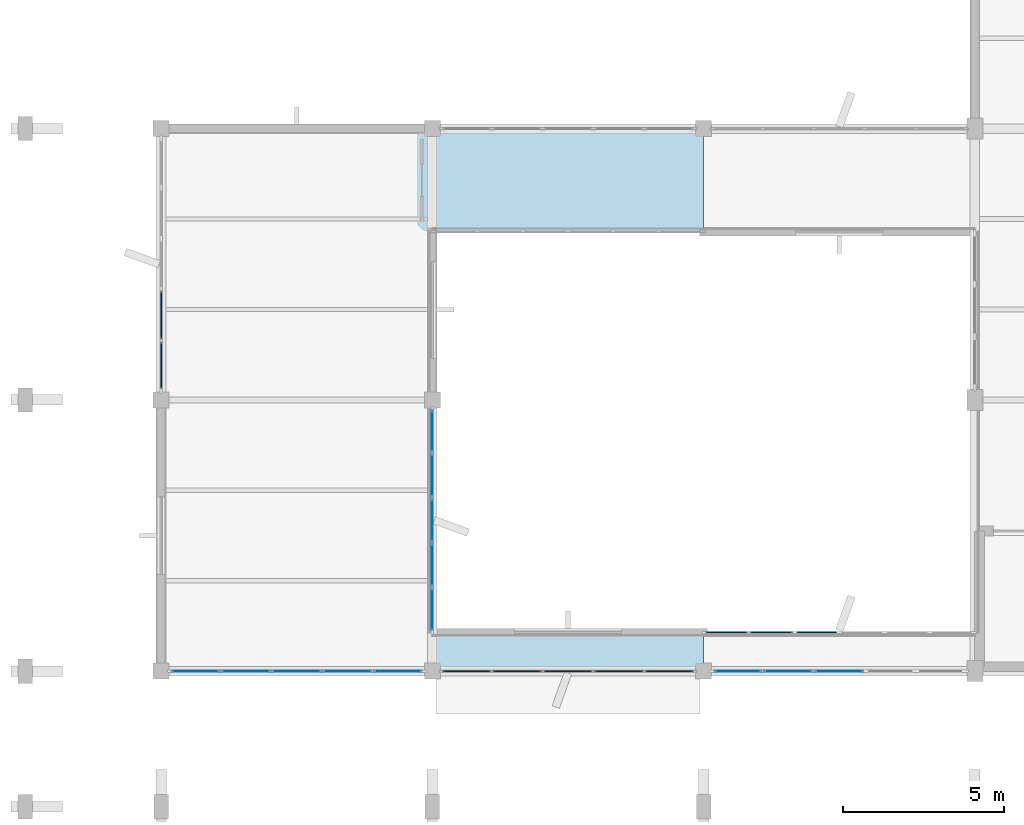
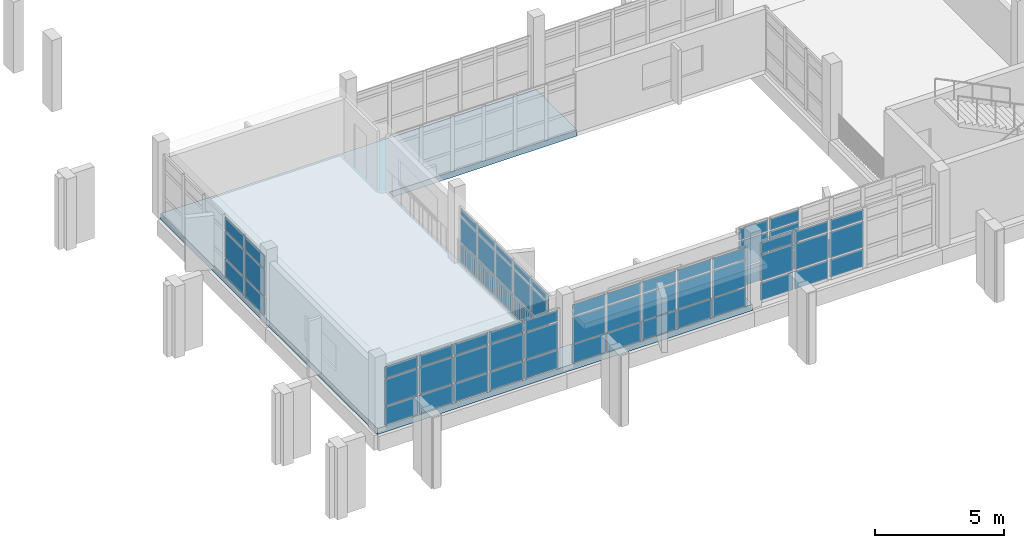
# One storey, part 49 of 104: 67 plates, 1 slab, 6 elements without a shape of their own.
"""IFC4 building model written with IfcOpenShell, lengths in metres."""

from ifc_helpers import new_model, si_unit, direction, frame, origin, origin_2d, place, context, subcontext, project, spatial, polyline, rectangle, outline, extrude, material, layer, layer_set, type_object, element, aggregate, save


model = new_model("IFC4")

# Units and contexts
model_context = context("Model", 3, precision=1e-05, world=origin(), true_north=direction((0.0, 1.0)))
body_context = subcontext(model_context, "Body", "Model", "MODEL_VIEW")
ifc_project = project(units=[si_unit("LENGTHUNIT", "METRE"), si_unit("AREAUNIT", "SQUARE_METRE"), si_unit("VOLUMEUNIT", "CUBIC_METRE"), si_unit("PLANEANGLEUNIT", "RADIAN"), si_unit("MASSUNIT", "GRAM", prefix="KILO")], contexts=[model_context])

# Site, building, storey
site_placement = place(None, origin())
site = spatial("IfcSite", under=ifc_project, at=site_placement, CompositionType="ELEMENT")
building_placement = place(site_placement, origin())
building = spatial("IfcBuilding", under=site, at=building_placement, Name="Vanh Quang Courtyard School", CompositionType="ELEMENT")
storey_placement = place(building_placement, frame((0.0, 0.0, 4.199951171875)))
storey = spatial("IfcBuildingStorey", under=building, at=storey_placement, Name="L01", CompositionType="ELEMENT", Elevation=4.199951171875)

# Curtain wall, plates
ifc_material_1 = material(Name="Thermally broken aluminium unitised curtain wall", Category="aluminium")
curtain_wall_type_1 = type_object("IfcCurtainWallType", Name="CW-SYS-29", PredefinedType="NOTDEFINED", material=ifc_material_1)
curtain_wall_1_placement = place(storey_placement, origin())
curtain_wall_1 = element("IfcCurtainWall", 1, at=curtain_wall_1_placement, inside=storey, type_object=curtain_wall_type_1, Name="Curtain Wall CW-29 (L01)", PredefinedType="NOTDEFINED")
ifc_material_2 = material(Name="Low-E laminated double glazing", Category="glass")
ifc_layer_1 = layer(ifc_material_2, 0.028076171875)
ifc_layer_set_1 = layer_set([ifc_layer_1], Name="Low-E laminated double glazing")
plate_type_1 = type_object("IfcPlateType", Name="CW-PNL-28", PredefinedType="CURTAIN_PANEL", material=ifc_layer_set_1)
plate_1_placement = place(storey_placement, frame((25.199951171875, 4.199951171875, 0.080078125), z_axis=(0.0, 0.0, 1.0), x_axis=(-1.0, 0.0, 0.0)))
plate_1 = element("IfcPlate", 2, at=plate_1_placement, type_object=plate_type_1, Name="CW-29 panel 3.1", PredefinedType="CURTAIN_PANEL", context=body_context, shape_type="SweptSolid", body=[
    extrude(rectangle(XDim=1.496826171875, YDim=0.028076171875, at=origin_2d()), origin(), (0.0, 0.0, 1.0), 0.830078125),
])
plate_2_placement = place(storey_placement, frame((25.199951171875, 4.199951171875, 0.990234375), z_axis=(0.0, 0.0, 1.0), x_axis=(-1.0, 0.0, 0.0)))
plate_2 = element("IfcPlate", 3, at=plate_2_placement, type_object=plate_type_1, Name="CW-29 panel 3.2", PredefinedType="CURTAIN_PANEL", context=body_context, shape_type="SweptSolid", body=[
    extrude(rectangle(XDim=1.496826171875, YDim=0.028076171875, at=origin_2d()), origin(), (0.0, 0.0, 1.0), 1.219970703125),
])
plate_3_placement = place(storey_placement, frame((25.199951171875, 4.199951171875, 2.2900390625), z_axis=(0.0, 0.0, 1.0), x_axis=(-1.0, 0.0, 0.0)))
plate_3 = element("IfcPlate", 4, at=plate_3_placement, type_object=plate_type_1, Name="CW-29 panel 3.3", PredefinedType="CURTAIN_PANEL", context=body_context, shape_type="SweptSolid", body=[
    extrude(rectangle(XDim=1.496826171875, YDim=0.028076171875, at=origin_2d()), origin(), (0.0, 0.0, 1.0), 0.5),
])
plate_4_placement = place(storey_placement, frame((23.623291015625, 4.199951171875, 0.080078125), z_axis=(0.0, 0.0, 1.0), x_axis=(-1.0, 0.0, 0.0)))
plate_4 = element("IfcPlate", 5, at=plate_4_placement, type_object=plate_type_1, Name="CW-29 panel 4.1", PredefinedType="CURTAIN_PANEL", context=body_context, shape_type="SweptSolid", body=[
    extrude(rectangle(XDim=1.496826171875, YDim=0.028076171875, at=origin_2d()), origin(), (0.0, 0.0, 1.0), 0.830078125),
])
plate_5_placement = place(storey_placement, frame((23.623291015625, 4.199951171875, 0.990234375), z_axis=(0.0, 0.0, 1.0), x_axis=(-1.0, 0.0, 0.0)))
plate_5 = element("IfcPlate", 6, at=plate_5_placement, type_object=plate_type_1, Name="CW-29 panel 4.2", PredefinedType="CURTAIN_PANEL", context=body_context, shape_type="SweptSolid", body=[
    extrude(rectangle(XDim=1.496826171875, YDim=0.028076171875, at=origin_2d()), origin(), (0.0, 0.0, 1.0), 1.219970703125),
])
plate_6_placement = place(storey_placement, frame((23.623291015625, 4.199951171875, 2.2900390625), z_axis=(0.0, 0.0, 1.0), x_axis=(-1.0, 0.0, 0.0)))
plate_6 = element("IfcPlate", 7, at=plate_6_placement, type_object=plate_type_1, Name="CW-29 panel 4.3", PredefinedType="CURTAIN_PANEL", context=body_context, shape_type="SweptSolid", body=[
    extrude(rectangle(XDim=1.496826171875, YDim=0.028076171875, at=origin_2d()), origin(), (0.0, 0.0, 1.0), 0.5),
])
plate_7_placement = place(storey_placement, frame((22.06640625, 4.199951171875, 0.080078125), z_axis=(0.0, 0.0, 1.0), x_axis=(-1.0, 0.0, 0.0)))
plate_7 = element("IfcPlate", 8, at=plate_7_placement, type_object=plate_type_1, Name="CW-29 panel 5.1", PredefinedType="CURTAIN_PANEL", context=body_context, shape_type="SweptSolid", body=[
    extrude(rectangle(XDim=1.456787109375, YDim=0.028076171875, at=origin_2d()), origin(), (0.0, 0.0, 1.0), 0.830078125),
])
plate_8_placement = place(storey_placement, frame((22.06640625, 4.199951171875, 0.990234375), z_axis=(0.0, 0.0, 1.0), x_axis=(-1.0, 0.0, 0.0)))
plate_8 = element("IfcPlate", 9, at=plate_8_placement, type_object=plate_type_1, Name="CW-29 panel 5.2", PredefinedType="CURTAIN_PANEL", context=body_context, shape_type="SweptSolid", body=[
    extrude(rectangle(XDim=1.456787109375, YDim=0.028076171875, at=origin_2d()), origin(), (0.0, 0.0, 1.0), 1.219970703125),
])
plate_9_placement = place(storey_placement, frame((22.06640625, 4.199951171875, 2.2900390625), z_axis=(0.0, 0.0, 1.0), x_axis=(-1.0, 0.0, 0.0)))
plate_9 = element("IfcPlate", 10, at=plate_9_placement, type_object=plate_type_1, Name="CW-29 panel 5.3", PredefinedType="CURTAIN_PANEL", context=body_context, shape_type="SweptSolid", body=[
    extrude(rectangle(XDim=1.456787109375, YDim=0.028076171875, at=origin_2d()), origin(), (0.0, 0.0, 1.0), 0.5),
])
aggregate(curtain_wall_1, [plate_1, plate_2, plate_3, plate_4, plate_5, plate_6, plate_7, plate_8, plate_9])

curtain_wall_2_placement = place(storey_placement, origin())
curtain_wall_2 = element("IfcCurtainWall", 11, at=curtain_wall_2_placement, inside=storey, type_object=curtain_wall_type_1, Name="Curtain Wall CW-29 (L01)", PredefinedType="NOTDEFINED")
plate_10_placement = place(storey_placement, frame((11.5361328125, 4.199951171875, 0.06982421875), z_axis=(0.0, 0.0, 1.0), x_axis=(-1.0, 0.0, 0.0)))
plate_10 = element("IfcPlate", 12, at=plate_10_placement, type_object=plate_type_1, Name="CW-29 panel 1.1", PredefinedType="CURTAIN_PANEL", context=body_context, shape_type="SweptSolid", body=[
    extrude(rectangle(XDim=1.4716796875, YDim=0.028076171875, at=origin_2d()), origin(), (0.0, 0.0, 1.0), 0.844970703125),
])
plate_11_placement = place(storey_placement, frame((11.5361328125, 4.199951171875, 0.985107421875), z_axis=(0.0, 0.0, 1.0), x_axis=(-1.0, 0.0, 0.0)))
plate_11 = element("IfcPlate", 13, at=plate_11_placement, type_object=plate_type_1, Name="CW-29 panel 1.2", PredefinedType="CURTAIN_PANEL", context=body_context, shape_type="SweptSolid", body=[
    extrude(rectangle(XDim=1.4716796875, YDim=0.028076171875, at=origin_2d()), origin(), (0.0, 0.0, 1.0), 1.22998046875),
])
plate_12_placement = place(storey_placement, frame((11.5361328125, 4.199951171875, 2.28515625), z_axis=(0.0, 0.0, 1.0), x_axis=(-1.0, 0.0, 0.0)))
plate_12 = element("IfcPlate", 14, at=plate_12_placement, type_object=plate_type_1, Name="CW-29 panel 1.3", PredefinedType="CURTAIN_PANEL", context=body_context, shape_type="SweptSolid", body=[
    extrude(rectangle(XDim=1.4716796875, YDim=0.028076171875, at=origin_2d()), origin(), (0.0, 0.0, 1.0), 0.514892578125),
])
plate_13_placement = place(storey_placement, frame((9.976806640625, 4.199951171875, 0.06982421875), z_axis=(0.0, 0.0, 1.0), x_axis=(-1.0, 0.0, 0.0)))
plate_13 = element("IfcPlate", 15, at=plate_13_placement, type_object=plate_type_1, Name="CW-29 panel 2.1", PredefinedType="CURTAIN_PANEL", context=body_context, shape_type="SweptSolid", body=[
    extrude(rectangle(XDim=1.5068359375, YDim=0.028076171875, at=origin_2d()), origin(), (0.0, 0.0, 1.0), 0.844970703125),
])
plate_14_placement = place(storey_placement, frame((9.976806640625, 4.199951171875, 0.985107421875), z_axis=(0.0, 0.0, 1.0), x_axis=(-1.0, 0.0, 0.0)))
plate_14 = element("IfcPlate", 16, at=plate_14_placement, type_object=plate_type_1, Name="CW-29 panel 2.2", PredefinedType="CURTAIN_PANEL", context=body_context, shape_type="SweptSolid", body=[
    extrude(rectangle(XDim=1.5068359375, YDim=0.028076171875, at=origin_2d()), origin(), (0.0, 0.0, 1.0), 1.22998046875),
])
plate_15_placement = place(storey_placement, frame((9.976806640625, 4.199951171875, 2.28515625), z_axis=(0.0, 0.0, 1.0), x_axis=(-1.0, 0.0, 0.0)))
plate_15 = element("IfcPlate", 17, at=plate_15_placement, type_object=plate_type_1, Name="CW-29 panel 2.3", PredefinedType="CURTAIN_PANEL", context=body_context, shape_type="SweptSolid", body=[
    extrude(rectangle(XDim=1.5068359375, YDim=0.028076171875, at=origin_2d()), origin(), (0.0, 0.0, 1.0), 0.514892578125),
])
plate_16_placement = place(storey_placement, frame((8.39990234375, 4.199951171875, 0.06982421875), z_axis=(0.0, 0.0, 1.0), x_axis=(-1.0, 0.0, 0.0)))
plate_16 = element("IfcPlate", 18, at=plate_16_placement, type_object=plate_type_1, Name="CW-29 panel 3.1", PredefinedType="CURTAIN_PANEL", context=body_context, shape_type="SweptSolid", body=[
    extrude(rectangle(XDim=1.5068359375, YDim=0.028076171875, at=origin_2d()), origin(), (0.0, 0.0, 1.0), 0.844970703125),
])
plate_17_placement = place(storey_placement, frame((8.39990234375, 4.199951171875, 0.985107421875), z_axis=(0.0, 0.0, 1.0), x_axis=(-1.0, 0.0, 0.0)))
plate_17 = element("IfcPlate", 19, at=plate_17_placement, type_object=plate_type_1, Name="CW-29 panel 3.2", PredefinedType="CURTAIN_PANEL", context=body_context, shape_type="SweptSolid", body=[
    extrude(rectangle(XDim=1.5068359375, YDim=0.028076171875, at=origin_2d()), origin(), (0.0, 0.0, 1.0), 1.22998046875),
])
plate_18_placement = place(storey_placement, frame((8.39990234375, 4.199951171875, 2.28515625), z_axis=(0.0, 0.0, 1.0), x_axis=(-1.0, 0.0, 0.0)))
plate_18 = element("IfcPlate", 20, at=plate_18_placement, type_object=plate_type_1, Name="CW-29 panel 3.3", PredefinedType="CURTAIN_PANEL", context=body_context, shape_type="SweptSolid", body=[
    extrude(rectangle(XDim=1.5068359375, YDim=0.028076171875, at=origin_2d()), origin(), (0.0, 0.0, 1.0), 0.514892578125),
])
plate_19_placement = place(storey_placement, frame((6.8232421875, 4.199951171875, 0.06982421875), z_axis=(0.0, 0.0, 1.0), x_axis=(-1.0, 0.0, 0.0)))
plate_19 = element("IfcPlate", 21, at=plate_19_placement, type_object=plate_type_1, Name="CW-29 panel 4.1", PredefinedType="CURTAIN_PANEL", context=body_context, shape_type="SweptSolid", body=[
    extrude(rectangle(XDim=1.5068359375, YDim=0.028076171875, at=origin_2d()), origin(), (0.0, 0.0, 1.0), 0.844970703125),
])
plate_20_placement = place(storey_placement, frame((6.8232421875, 4.199951171875, 0.985107421875), z_axis=(0.0, 0.0, 1.0), x_axis=(-1.0, 0.0, 0.0)))
plate_20 = element("IfcPlate", 22, at=plate_20_placement, type_object=plate_type_1, Name="CW-29 panel 4.2", PredefinedType="CURTAIN_PANEL", context=body_context, shape_type="SweptSolid", body=[
    extrude(rectangle(XDim=1.5068359375, YDim=0.028076171875, at=origin_2d()), origin(), (0.0, 0.0, 1.0), 1.22998046875),
])
plate_21_placement = place(storey_placement, frame((6.8232421875, 4.199951171875, 2.28515625), z_axis=(0.0, 0.0, 1.0), x_axis=(-1.0, 0.0, 0.0)))
plate_21 = element("IfcPlate", 23, at=plate_21_placement, type_object=plate_type_1, Name="CW-29 panel 4.3", PredefinedType="CURTAIN_PANEL", context=body_context, shape_type="SweptSolid", body=[
    extrude(rectangle(XDim=1.5068359375, YDim=0.028076171875, at=origin_2d()), origin(), (0.0, 0.0, 1.0), 0.514892578125),
])
plate_22_placement = place(storey_placement, frame((5.263916015625, 4.199951171875, 0.06982421875), z_axis=(0.0, 0.0, 1.0), x_axis=(-1.0, 0.0, 0.0)))
plate_22 = element("IfcPlate", 24, at=plate_22_placement, type_object=plate_type_1, Name="CW-29 panel 5.1", PredefinedType="CURTAIN_PANEL", context=body_context, shape_type="SweptSolid", body=[
    extrude(rectangle(XDim=1.4716796875, YDim=0.028076171875, at=origin_2d()), origin(), (0.0, 0.0, 1.0), 0.844970703125),
])
plate_23_placement = place(storey_placement, frame((5.263916015625, 4.199951171875, 0.985107421875), z_axis=(0.0, 0.0, 1.0), x_axis=(-1.0, 0.0, 0.0)))
plate_23 = element("IfcPlate", 25, at=plate_23_placement, type_object=plate_type_1, Name="CW-29 panel 5.2", PredefinedType="CURTAIN_PANEL", context=body_context, shape_type="SweptSolid", body=[
    extrude(rectangle(XDim=1.4716796875, YDim=0.028076171875, at=origin_2d()), origin(), (0.0, 0.0, 1.0), 1.22998046875),
])
plate_24_placement = place(storey_placement, frame((5.263916015625, 4.199951171875, 2.28515625), z_axis=(0.0, 0.0, 1.0), x_axis=(-1.0, 0.0, 0.0)))
plate_24 = element("IfcPlate", 26, at=plate_24_placement, type_object=plate_type_1, Name="CW-29 panel 5.3", PredefinedType="CURTAIN_PANEL", context=body_context, shape_type="SweptSolid", body=[
    extrude(rectangle(XDim=1.4716796875, YDim=0.028076171875, at=origin_2d()), origin(), (0.0, 0.0, 1.0), 0.514892578125),
])
aggregate(curtain_wall_2, [plate_10, plate_11, plate_12, plate_13, plate_14, plate_15, plate_16, plate_17, plate_18, plate_19, plate_20, plate_21, plate_22, plate_23, plate_24])

curtain_wall_type_2 = type_object("IfcCurtainWallType", Name="CW-SYS-34", PredefinedType="NOTDEFINED", material=ifc_material_1)
curtain_wall_3_placement = place(storey_placement, origin())
curtain_wall_3 = element("IfcCurtainWall", 27, at=curtain_wall_3_placement, inside=storey, type_object=curtain_wall_type_2, Name="Curtain Wall CW-34 (L01)", PredefinedType="NOTDEFINED")
plate_25_placement = place(storey_placement, frame((12.60009765625, 11.63037109375, 0.06982421875), z_axis=(0.0, 0.0, 1.0), x_axis=(0.0, -1.0, 0.0)))
plate_25 = element("IfcPlate", 28, at=plate_25_placement, type_object=plate_type_1, Name="CW-34 panel 1.1", PredefinedType="CURTAIN_PANEL", context=body_context, shape_type="SweptSolid", body=[
    extrude(rectangle(XDim=1.283447265625, YDim=0.028076171875, at=origin_2d()), origin(), (0.0, 0.0, 1.0), 0.844970703125),
])
plate_26_placement = place(storey_placement, frame((12.60009765625, 11.63037109375, 0.985107421875), z_axis=(0.0, 0.0, 1.0), x_axis=(0.0, -1.0, 0.0)))
plate_26 = element("IfcPlate", 29, at=plate_26_placement, type_object=plate_type_1, Name="CW-34 panel 1.2", PredefinedType="CURTAIN_PANEL", context=body_context, shape_type="SweptSolid", body=[
    extrude(rectangle(XDim=1.283447265625, YDim=0.028076171875, at=origin_2d()), origin(), (0.0, 0.0, 1.0), 1.22998046875),
])
plate_27_placement = place(storey_placement, frame((12.60009765625, 11.63037109375, 2.28515625), z_axis=(0.0, 0.0, 1.0), x_axis=(0.0, -1.0, 0.0)))
plate_27 = element("IfcPlate", 30, at=plate_27_placement, type_object=plate_type_1, Name="CW-34 panel 1.3", PredefinedType="CURTAIN_PANEL", context=body_context, shape_type="SweptSolid", body=[
    extrude(rectangle(XDim=1.283447265625, YDim=0.028076171875, at=origin_2d()), origin(), (0.0, 0.0, 1.0), 0.31494140625),
])
plate_28_placement = place(storey_placement, frame((12.60009765625, 10.259521484375, 0.06982421875), z_axis=(0.0, 0.0, 1.0), x_axis=(0.0, -1.0, 0.0)))
plate_28 = element("IfcPlate", 31, at=plate_28_placement, type_object=plate_type_1, Name="CW-34 panel 2.1", PredefinedType="CURTAIN_PANEL", context=body_context, shape_type="SweptSolid", body=[
    extrude(rectangle(XDim=1.318359375, YDim=0.028076171875, at=origin_2d()), origin(), (0.0, 0.0, 1.0), 0.844970703125),
])
plate_29_placement = place(storey_placement, frame((12.60009765625, 10.259521484375, 0.985107421875), z_axis=(0.0, 0.0, 1.0), x_axis=(0.0, -1.0, 0.0)))
plate_29 = element("IfcPlate", 32, at=plate_29_placement, type_object=plate_type_1, Name="CW-34 panel 2.2", PredefinedType="CURTAIN_PANEL", context=body_context, shape_type="SweptSolid", body=[
    extrude(rectangle(XDim=1.318359375, YDim=0.028076171875, at=origin_2d()), origin(), (0.0, 0.0, 1.0), 1.22998046875),
])
plate_30_placement = place(storey_placement, frame((12.60009765625, 10.259521484375, 2.28515625), z_axis=(0.0, 0.0, 1.0), x_axis=(0.0, -1.0, 0.0)))
plate_30 = element("IfcPlate", 33, at=plate_30_placement, type_object=plate_type_1, Name="CW-34 panel 2.3", PredefinedType="CURTAIN_PANEL", context=body_context, shape_type="SweptSolid", body=[
    extrude(rectangle(XDim=1.318359375, YDim=0.028076171875, at=origin_2d()), origin(), (0.0, 0.0, 1.0), 0.31494140625),
])
plate_31_placement = place(storey_placement, frame((12.60009765625, 8.87109375, 0.06982421875), z_axis=(0.0, 0.0, 1.0), x_axis=(0.0, -1.0, 0.0)))
plate_31 = element("IfcPlate", 34, at=plate_31_placement, type_object=plate_type_1, Name="CW-34 panel 3.1", PredefinedType="CURTAIN_PANEL", context=body_context, shape_type="SweptSolid", body=[
    extrude(rectangle(XDim=1.318359375, YDim=0.028076171875, at=origin_2d()), origin(), (0.0, 0.0, 1.0), 0.844970703125),
])
plate_32_placement = place(storey_placement, frame((12.60009765625, 8.87109375, 0.985107421875), z_axis=(0.0, 0.0, 1.0), x_axis=(0.0, -1.0, 0.0)))
plate_32 = element("IfcPlate", 35, at=plate_32_placement, type_object=plate_type_1, Name="CW-34 panel 3.2", PredefinedType="CURTAIN_PANEL", context=body_context, shape_type="SweptSolid", body=[
    extrude(rectangle(XDim=1.318359375, YDim=0.028076171875, at=origin_2d()), origin(), (0.0, 0.0, 1.0), 1.22998046875),
])
plate_33_placement = place(storey_placement, frame((12.60009765625, 8.87109375, 2.28515625), z_axis=(0.0, 0.0, 1.0), x_axis=(0.0, -1.0, 0.0)))
plate_33 = element("IfcPlate", 36, at=plate_33_placement, type_object=plate_type_1, Name="CW-34 panel 3.3", PredefinedType="CURTAIN_PANEL", context=body_context, shape_type="SweptSolid", body=[
    extrude(rectangle(XDim=1.318359375, YDim=0.028076171875, at=origin_2d()), origin(), (0.0, 0.0, 1.0), 0.31494140625),
])
plate_34_placement = place(storey_placement, frame((12.60009765625, 7.482666015625, 0.06982421875), z_axis=(0.0, 0.0, 1.0), x_axis=(0.0, -1.0, 0.0)))
plate_34 = element("IfcPlate", 37, at=plate_34_placement, type_object=plate_type_1, Name="CW-34 panel 4.1", PredefinedType="CURTAIN_PANEL", context=body_context, shape_type="SweptSolid", body=[
    extrude(rectangle(XDim=1.318359375, YDim=0.028076171875, at=origin_2d()), origin(), (0.0, 0.0, 1.0), 0.844970703125),
])
plate_35_placement = place(storey_placement, frame((12.60009765625, 7.482666015625, 0.985107421875), z_axis=(0.0, 0.0, 1.0), x_axis=(0.0, -1.0, 0.0)))
plate_35 = element("IfcPlate", 38, at=plate_35_placement, type_object=plate_type_1, Name="CW-34 panel 4.2", PredefinedType="CURTAIN_PANEL", context=body_context, shape_type="SweptSolid", body=[
    extrude(rectangle(XDim=1.318359375, YDim=0.028076171875, at=origin_2d()), origin(), (0.0, 0.0, 1.0), 1.22998046875),
])
plate_36_placement = place(storey_placement, frame((12.60009765625, 7.482666015625, 2.28515625), z_axis=(0.0, 0.0, 1.0), x_axis=(0.0, -1.0, 0.0)))
plate_36 = element("IfcPlate", 39, at=plate_36_placement, type_object=plate_type_1, Name="CW-34 panel 4.3", PredefinedType="CURTAIN_PANEL", context=body_context, shape_type="SweptSolid", body=[
    extrude(rectangle(XDim=1.318359375, YDim=0.028076171875, at=origin_2d()), origin(), (0.0, 0.0, 1.0), 0.31494140625),
])
plate_37_placement = place(storey_placement, frame((12.60009765625, 6.11181640625, 0.06982421875), z_axis=(0.0, 0.0, 1.0), x_axis=(0.0, -1.0, 0.0)))
plate_37 = element("IfcPlate", 40, at=plate_37_placement, type_object=plate_type_1, Name="CW-34 panel 5.1", PredefinedType="CURTAIN_PANEL", context=body_context, shape_type="SweptSolid", body=[
    extrude(rectangle(XDim=1.283447265625, YDim=0.028076171875, at=origin_2d()), origin(), (0.0, 0.0, 1.0), 0.844970703125),
])
plate_38_placement = place(storey_placement, frame((12.60009765625, 6.11181640625, 0.985107421875), z_axis=(0.0, 0.0, 1.0), x_axis=(0.0, -1.0, 0.0)))
plate_38 = element("IfcPlate", 41, at=plate_38_placement, type_object=plate_type_1, Name="CW-34 panel 5.2", PredefinedType="CURTAIN_PANEL", context=body_context, shape_type="SweptSolid", body=[
    extrude(rectangle(XDim=1.283447265625, YDim=0.028076171875, at=origin_2d()), origin(), (0.0, 0.0, 1.0), 1.22998046875),
])
plate_39_placement = place(storey_placement, frame((12.60009765625, 6.11181640625, 2.28515625), z_axis=(0.0, 0.0, 1.0), x_axis=(0.0, -1.0, 0.0)))
plate_39 = element("IfcPlate", 42, at=plate_39_placement, type_object=plate_type_1, Name="CW-34 panel 5.3", PredefinedType="CURTAIN_PANEL", context=body_context, shape_type="SweptSolid", body=[
    extrude(rectangle(XDim=1.283447265625, YDim=0.028076171875, at=origin_2d()), origin(), (0.0, 0.0, 1.0), 0.31494140625),
])
aggregate(curtain_wall_3, [plate_25, plate_26, plate_27, plate_28, plate_29, plate_30, plate_31, plate_32, plate_33, plate_34, plate_35, plate_36, plate_37, plate_38, plate_39])

curtain_wall_4_placement = place(storey_placement, origin())
curtain_wall_4 = element("IfcCurtainWall", 43, at=curtain_wall_4_placement, inside=storey, type_object=curtain_wall_type_1, Name="Curtain Wall CW-29 (L01)", PredefinedType="NOTDEFINED")
ifc_layer_2 = layer(ifc_material_2, 0.031982421875)
ifc_layer_set_2 = layer_set([ifc_layer_2], Name="Low-E laminated double glazing")
plate_type_2 = type_object("IfcPlateType", Name="CW-PNL-32", PredefinedType="CURTAIN_PANEL", material=ifc_layer_set_2)
plate_40_placement = place(storey_placement, frame((19.938720703125, 4.199951171875, 0.06005859375), z_axis=(0.0, 0.0, 1.0), x_axis=(-1.0, 0.0, 0.0)))
plate_40 = element("IfcPlate", 44, at=plate_40_placement, type_object=plate_type_2, Name="CW-29 panel 1.1", PredefinedType="CURTAIN_PANEL", context=body_context, shape_type="SweptSolid", body=[
    extrude(rectangle(XDim=1.48681640625, YDim=0.031982421875, at=origin_2d()), origin(), (0.0, 0.0, 1.0), 0.860107421875),
])
plate_41_placement = place(storey_placement, frame((19.938720703125, 4.199951171875, 0.97998046875), z_axis=(0.0, 0.0, 1.0), x_axis=(-1.0, 0.0, 0.0)))
plate_41 = element("IfcPlate", 45, at=plate_41_placement, type_object=plate_type_2, Name="CW-29 panel 1.2", PredefinedType="CURTAIN_PANEL", context=body_context, shape_type="SweptSolid", body=[
    extrude(rectangle(XDim=1.48681640625, YDim=0.031982421875, at=origin_2d()), origin(), (0.0, 0.0, 1.0), 1.239990234375),
])
plate_42_placement = place(storey_placement, frame((19.938720703125, 4.199951171875, 2.2802734375), z_axis=(0.0, 0.0, 1.0), x_axis=(-1.0, 0.0, 0.0)))
plate_42 = element("IfcPlate", 46, at=plate_42_placement, type_object=plate_type_2, Name="CW-29 panel 1.3", PredefinedType="CURTAIN_PANEL", context=body_context, shape_type="SweptSolid", body=[
    extrude(rectangle(XDim=1.48681640625, YDim=0.031982421875, at=origin_2d()), origin(), (0.0, 0.0, 1.0), 0.530029296875),
])
plate_43_placement = place(storey_placement, frame((18.376708984375, 4.199951171875, 0.06005859375), z_axis=(0.0, 0.0, 1.0), x_axis=(-1.0, 0.0, 0.0)))
plate_43 = element("IfcPlate", 47, at=plate_43_placement, type_object=plate_type_2, Name="CW-29 panel 2.1", PredefinedType="CURTAIN_PANEL", context=body_context, shape_type="SweptSolid", body=[
    extrude(rectangle(XDim=1.516845703125, YDim=0.031982421875, at=origin_2d()), origin(), (0.0, 0.0, 1.0), 0.860107421875),
])
plate_44_placement = place(storey_placement, frame((18.376708984375, 4.199951171875, 0.97998046875), z_axis=(0.0, 0.0, 1.0), x_axis=(-1.0, 0.0, 0.0)))
plate_44 = element("IfcPlate", 48, at=plate_44_placement, type_object=plate_type_2, Name="CW-29 panel 2.2", PredefinedType="CURTAIN_PANEL", context=body_context, shape_type="SweptSolid", body=[
    extrude(rectangle(XDim=1.516845703125, YDim=0.031982421875, at=origin_2d()), origin(), (0.0, 0.0, 1.0), 1.239990234375),
])
plate_45_placement = place(storey_placement, frame((18.376708984375, 4.199951171875, 2.2802734375), z_axis=(0.0, 0.0, 1.0), x_axis=(-1.0, 0.0, 0.0)))
plate_45 = element("IfcPlate", 49, at=plate_45_placement, type_object=plate_type_2, Name="CW-29 panel 2.3", PredefinedType="CURTAIN_PANEL", context=body_context, shape_type="SweptSolid", body=[
    extrude(rectangle(XDim=1.516845703125, YDim=0.031982421875, at=origin_2d()), origin(), (0.0, 0.0, 1.0), 0.530029296875),
])
plate_46_placement = place(storey_placement, frame((16.800048828125, 4.199951171875, 0.06005859375), z_axis=(0.0, 0.0, 1.0), x_axis=(-1.0, 0.0, 0.0)))
plate_46 = element("IfcPlate", 50, at=plate_46_placement, type_object=plate_type_2, Name="CW-29 panel 3.1", PredefinedType="CURTAIN_PANEL", context=body_context, shape_type="SweptSolid", body=[
    extrude(rectangle(XDim=1.516845703125, YDim=0.031982421875, at=origin_2d()), origin(), (0.0, 0.0, 1.0), 0.860107421875),
])
plate_47_placement = place(storey_placement, frame((16.800048828125, 4.199951171875, 0.97998046875), z_axis=(0.0, 0.0, 1.0), x_axis=(-1.0, 0.0, 0.0)))
plate_47 = element("IfcPlate", 51, at=plate_47_placement, type_object=plate_type_2, Name="CW-29 panel 3.2", PredefinedType="CURTAIN_PANEL", context=body_context, shape_type="SweptSolid", body=[
    extrude(rectangle(XDim=1.516845703125, YDim=0.031982421875, at=origin_2d()), origin(), (0.0, 0.0, 1.0), 1.239990234375),
])
plate_48_placement = place(storey_placement, frame((16.800048828125, 4.199951171875, 2.2802734375), z_axis=(0.0, 0.0, 1.0), x_axis=(-1.0, 0.0, 0.0)))
plate_48 = element("IfcPlate", 52, at=plate_48_placement, type_object=plate_type_2, Name="CW-29 panel 3.3", PredefinedType="CURTAIN_PANEL", context=body_context, shape_type="SweptSolid", body=[
    extrude(rectangle(XDim=1.516845703125, YDim=0.031982421875, at=origin_2d()), origin(), (0.0, 0.0, 1.0), 0.530029296875),
])
plate_49_placement = place(storey_placement, frame((15.22314453125, 4.199951171875, 0.06005859375), z_axis=(0.0, 0.0, 1.0), x_axis=(-1.0, 0.0, 0.0)))
plate_49 = element("IfcPlate", 53, at=plate_49_placement, type_object=plate_type_2, Name="CW-29 panel 4.1", PredefinedType="CURTAIN_PANEL", context=body_context, shape_type="SweptSolid", body=[
    extrude(rectangle(XDim=1.516845703125, YDim=0.031982421875, at=origin_2d()), origin(), (0.0, 0.0, 1.0), 0.860107421875),
])
plate_50_placement = place(storey_placement, frame((15.22314453125, 4.199951171875, 0.97998046875), z_axis=(0.0, 0.0, 1.0), x_axis=(-1.0, 0.0, 0.0)))
plate_50 = element("IfcPlate", 54, at=plate_50_placement, type_object=plate_type_2, Name="CW-29 panel 4.2", PredefinedType="CURTAIN_PANEL", context=body_context, shape_type="SweptSolid", body=[
    extrude(rectangle(XDim=1.516845703125, YDim=0.031982421875, at=origin_2d()), origin(), (0.0, 0.0, 1.0), 1.239990234375),
])
plate_51_placement = place(storey_placement, frame((15.22314453125, 4.199951171875, 2.2802734375), z_axis=(0.0, 0.0, 1.0), x_axis=(-1.0, 0.0, 0.0)))
plate_51 = element("IfcPlate", 55, at=plate_51_placement, type_object=plate_type_2, Name="CW-29 panel 4.3", PredefinedType="CURTAIN_PANEL", context=body_context, shape_type="SweptSolid", body=[
    extrude(rectangle(XDim=1.516845703125, YDim=0.031982421875, at=origin_2d()), origin(), (0.0, 0.0, 1.0), 0.530029296875),
])
plate_52_placement = place(storey_placement, frame((13.661376953125, 4.199951171875, 0.06005859375), z_axis=(0.0, 0.0, 1.0), x_axis=(-1.0, 0.0, 0.0)))
plate_52 = element("IfcPlate", 56, at=plate_52_placement, type_object=plate_type_2, Name="CW-29 panel 5.1", PredefinedType="CURTAIN_PANEL", context=body_context, shape_type="SweptSolid", body=[
    extrude(rectangle(XDim=1.48681640625, YDim=0.031982421875, at=origin_2d()), origin(), (0.0, 0.0, 1.0), 0.860107421875),
])
plate_53_placement = place(storey_placement, frame((13.661376953125, 4.199951171875, 0.97998046875), z_axis=(0.0, 0.0, 1.0), x_axis=(-1.0, 0.0, 0.0)))
plate_53 = element("IfcPlate", 57, at=plate_53_placement, type_object=plate_type_2, Name="CW-29 panel 5.2", PredefinedType="CURTAIN_PANEL", context=body_context, shape_type="SweptSolid", body=[
    extrude(rectangle(XDim=1.48681640625, YDim=0.031982421875, at=origin_2d()), origin(), (0.0, 0.0, 1.0), 1.239990234375),
])
plate_54_placement = place(storey_placement, frame((13.661376953125, 4.199951171875, 2.2802734375), z_axis=(0.0, 0.0, 1.0), x_axis=(-1.0, 0.0, 0.0)))
plate_54 = element("IfcPlate", 58, at=plate_54_placement, type_object=plate_type_2, Name="CW-29 panel 5.3", PredefinedType="CURTAIN_PANEL", context=body_context, shape_type="SweptSolid", body=[
    extrude(rectangle(XDim=1.48681640625, YDim=0.031982421875, at=origin_2d()), origin(), (0.0, 0.0, 1.0), 0.530029296875),
])
aggregate(curtain_wall_4, [plate_40, plate_41, plate_42, plate_43, plate_44, plate_45, plate_46, plate_47, plate_48, plate_49, plate_50, plate_51, plate_52, plate_53, plate_54])

curtain_wall_type_3 = type_object("IfcCurtainWallType", Name="CW-SYS-30", PredefinedType="NOTDEFINED", material=ifc_material_1)
curtain_wall_5_placement = place(storey_placement, origin())
curtain_wall_5 = element("IfcCurtainWall", 59, at=curtain_wall_5_placement, inside=storey, type_object=curtain_wall_type_3, Name="Curtain Wall CW-30 (L01)", PredefinedType="NOTDEFINED")
plate_55_placement = place(storey_placement, frame((4.199951171875, 13.66650390625, 0.080078125), z_axis=(0.0, 0.0, 1.0), x_axis=(0.0, 1.0, 0.0)))
plate_55 = element("IfcPlate", 60, at=plate_55_placement, type_object=plate_type_2, Name="CW-30 panel 1.1", PredefinedType="CURTAIN_PANEL", context=body_context, shape_type="SweptSolid", body=[
    extrude(rectangle(XDim=1.456787109375, YDim=0.031982421875, at=origin_2d()), origin(), (0.0, 0.0, 1.0), 0.830078125),
])
plate_56_placement = place(storey_placement, frame((4.199951171875, 13.66650390625, 0.990234375), z_axis=(0.0, 0.0, 1.0), x_axis=(0.0, 1.0, 0.0)))
plate_56 = element("IfcPlate", 61, at=plate_56_placement, type_object=plate_type_2, Name="CW-30 panel 1.2", PredefinedType="CURTAIN_PANEL", context=body_context, shape_type="SweptSolid", body=[
    extrude(rectangle(XDim=1.456787109375, YDim=0.031982421875, at=origin_2d()), origin(), (0.0, 0.0, 1.0), 1.219970703125),
])
plate_57_placement = place(storey_placement, frame((4.199951171875, 13.66650390625, 2.2900390625), z_axis=(0.0, 0.0, 1.0), x_axis=(0.0, 1.0, 0.0)))
plate_57 = element("IfcPlate", 62, at=plate_57_placement, type_object=plate_type_2, Name="CW-30 panel 1.3", PredefinedType="CURTAIN_PANEL", context=body_context, shape_type="SweptSolid", body=[
    extrude(rectangle(XDim=1.456787109375, YDim=0.031982421875, at=origin_2d()), origin(), (0.0, 0.0, 1.0), 0.590087890625),
])
plate_58_placement = place(storey_placement, frame((4.199951171875, 15.22314453125, 0.080078125), z_axis=(0.0, 0.0, 1.0), x_axis=(0.0, 1.0, 0.0)))
plate_58 = element("IfcPlate", 63, at=plate_58_placement, type_object=plate_type_2, Name="CW-30 panel 2.1", PredefinedType="CURTAIN_PANEL", context=body_context, shape_type="SweptSolid", body=[
    extrude(rectangle(XDim=1.496826171875, YDim=0.031982421875, at=origin_2d()), origin(), (0.0, 0.0, 1.0), 0.830078125),
])
plate_59_placement = place(storey_placement, frame((4.199951171875, 15.22314453125, 0.990234375), z_axis=(0.0, 0.0, 1.0), x_axis=(0.0, 1.0, 0.0)))
plate_59 = element("IfcPlate", 64, at=plate_59_placement, type_object=plate_type_2, Name="CW-30 panel 2.2", PredefinedType="CURTAIN_PANEL", context=body_context, shape_type="SweptSolid", body=[
    extrude(rectangle(XDim=1.496826171875, YDim=0.031982421875, at=origin_2d()), origin(), (0.0, 0.0, 1.0), 1.219970703125),
])
plate_60_placement = place(storey_placement, frame((4.199951171875, 15.22314453125, 2.2900390625), z_axis=(0.0, 0.0, 1.0), x_axis=(0.0, 1.0, 0.0)))
plate_60 = element("IfcPlate", 65, at=plate_60_placement, type_object=plate_type_2, Name="CW-30 panel 2.3", PredefinedType="CURTAIN_PANEL", context=body_context, shape_type="SweptSolid", body=[
    extrude(rectangle(XDim=1.496826171875, YDim=0.031982421875, at=origin_2d()), origin(), (0.0, 0.0, 1.0), 0.590087890625),
])
aggregate(curtain_wall_5, [plate_55, plate_56, plate_57, plate_58, plate_59, plate_60])

curtain_wall_type_4 = type_object("IfcCurtainWallType", Name="CW-SYS-31", PredefinedType="NOTDEFINED", material=ifc_material_1)
curtain_wall_6_placement = place(storey_placement, origin())
curtain_wall_6 = element("IfcCurtainWall", 66, at=curtain_wall_6_placement, inside=storey, type_object=curtain_wall_type_4, Name="Curtain Wall CW-31 (L01)", PredefinedType="NOTDEFINED")
plate_61_placement = place(storey_placement, frame((21.717529296875, 5.39990234375, 0.06982421875), z_axis=(0.0, 0.0, 1.0), x_axis=(1.0, 0.0, 0.0)))
plate_61 = element("IfcPlate", 67, at=plate_61_placement, type_object=plate_type_2, Name="CW-31 panel 1.1", PredefinedType="CURTAIN_PANEL", context=body_context, shape_type="SweptSolid", body=[
    extrude(rectangle(XDim=1.294921875, YDim=0.031982421875, at=origin_2d()), origin(), (0.0, 0.0, 1.0), 0.844970703125),
])
plate_62_placement = place(storey_placement, frame((21.717529296875, 5.39990234375, 0.985107421875), z_axis=(0.0, 0.0, 1.0), x_axis=(1.0, 0.0, 0.0)))
plate_62 = element("IfcPlate", 68, at=plate_62_placement, type_object=plate_type_2, Name="CW-31 panel 1.2", PredefinedType="CURTAIN_PANEL", context=body_context, shape_type="SweptSolid", body=[
    extrude(rectangle(XDim=1.294921875, YDim=0.031982421875, at=origin_2d()), origin(), (0.0, 0.0, 1.0), 1.22998046875),
])
plate_63_placement = place(storey_placement, frame((21.717529296875, 5.39990234375, 2.28515625), z_axis=(0.0, 0.0, 1.0), x_axis=(1.0, 0.0, 0.0)))
plate_63 = element("IfcPlate", 69, at=plate_63_placement, type_object=plate_type_2, Name="CW-31 panel 1.3", PredefinedType="CURTAIN_PANEL", context=body_context, shape_type="SweptSolid", body=[
    extrude(rectangle(XDim=1.294921875, YDim=0.031982421875, at=origin_2d()), origin(), (0.0, 0.0, 1.0), 0.52490234375),
])
plate_64_placement = place(storey_placement, frame((23.10009765625, 5.39990234375, 0.06982421875), z_axis=(0.0, 0.0, 1.0), x_axis=(1.0, 0.0, 0.0)))
plate_64 = element("IfcPlate", 70, at=plate_64_placement, type_object=plate_type_2, Name="CW-31 panel 2.1", PredefinedType="CURTAIN_PANEL", context=body_context, shape_type="SweptSolid", body=[
    extrude(rectangle(XDim=1.330078125, YDim=0.031982421875, at=origin_2d()), origin(), (0.0, 0.0, 1.0), 0.844970703125),
])
plate_65_placement = place(storey_placement, frame((23.10009765625, 5.39990234375, 0.985107421875), z_axis=(0.0, 0.0, 1.0), x_axis=(1.0, 0.0, 0.0)))
plate_65 = element("IfcPlate", 71, at=plate_65_placement, type_object=plate_type_2, Name="CW-31 panel 2.2", PredefinedType="CURTAIN_PANEL", context=body_context, shape_type="SweptSolid", body=[
    extrude(rectangle(XDim=1.330078125, YDim=0.031982421875, at=origin_2d()), origin(), (0.0, 0.0, 1.0), 1.22998046875),
])
plate_66_placement = place(storey_placement, frame((23.10009765625, 5.39990234375, 2.28515625), z_axis=(0.0, 0.0, 1.0), x_axis=(1.0, 0.0, 0.0)))
plate_66 = element("IfcPlate", 72, at=plate_66_placement, type_object=plate_type_2, Name="CW-31 panel 2.3", PredefinedType="CURTAIN_PANEL", context=body_context, shape_type="SweptSolid", body=[
    extrude(rectangle(XDim=1.330078125, YDim=0.031982421875, at=origin_2d()), origin(), (0.0, 0.0, 1.0), 0.52490234375),
])
plate_67_placement = place(storey_placement, frame((24.5, 5.39990234375, 0.06982421875), z_axis=(0.0, 0.0, 1.0), x_axis=(1.0, 0.0, 0.0)))
plate_67 = element("IfcPlate", 73, at=plate_67_placement, type_object=plate_type_2, Name="CW-31 panel 3.1", PredefinedType="CURTAIN_PANEL", context=body_context, shape_type="SweptSolid", body=[
    extrude(rectangle(XDim=1.330078125, YDim=0.031982421875, at=origin_2d()), origin(), (0.0, 0.0, 1.0), 0.844970703125),
])
aggregate(curtain_wall_6, [plate_61, plate_62, plate_63, plate_64, plate_65, plate_66, plate_67])

# Slab
ifc_material_3 = material(Name="Concrete C30/37", Category="concrete")
ifc_layer_3 = layer(ifc_material_3, 0.280029296875)
ifc_layer_set_3 = layer_set([ifc_layer_3], Name="Concrete C30/37")
slab_type = type_object("IfcSlabType", Name="SLB-FLR-280", PredefinedType="FLOOR", material=ifc_layer_set_3)
slab_placement = place(storey_placement, frame((0.0, 0.0, -0.280029296875)))
element("IfcSlab", 74, at=slab_placement, inside=storey, type_object=slab_type, Name="Slab SF-02 (L01)", PredefinedType="FLOOR", context=body_context, shape_type="SweptSolid", body=[
    extrude(outline(polyline([(21.0, 5.39990234375), (12.60009765625, 5.39990234375), (12.60009765625, 17.800048828125), (21.0, 17.800048828125), (21.0, 21.0), (4.199951171875, 21.0), (4.199951171875, 4.199951171875), (21.0, 4.199951171875), (21.0, 5.39990234375)])), origin(), (0.0, 0.0, 1.0), 0.280029296875),
])

save(model, "model.ifc")
